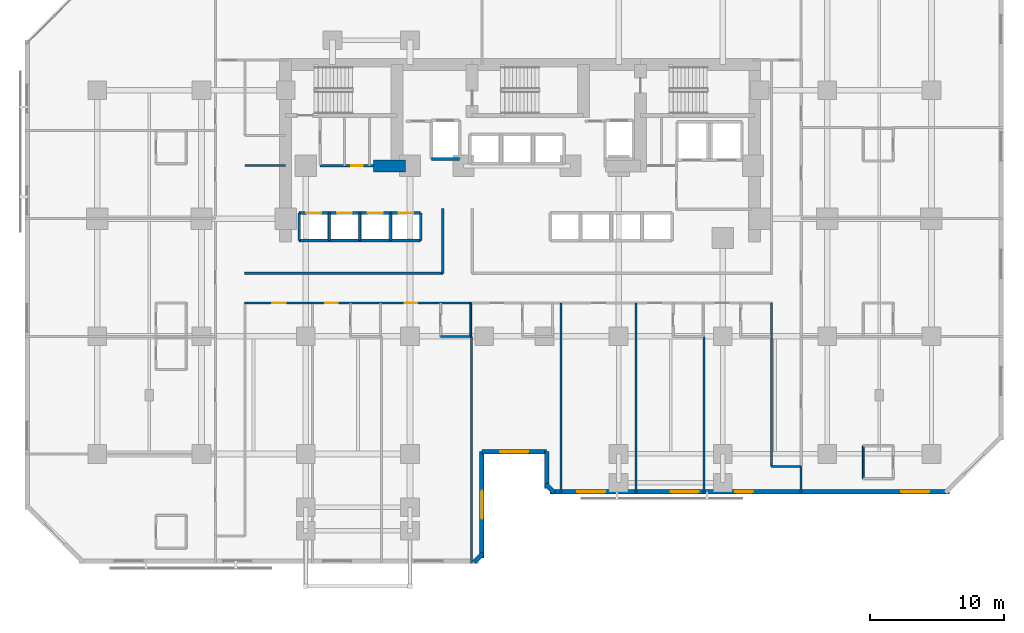
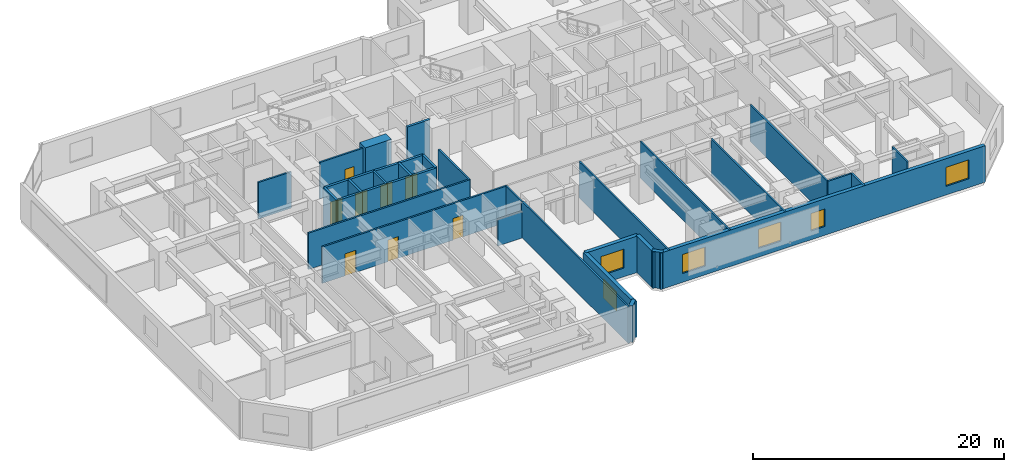
# One storey, part 6 of 12: 36 walls, 8 doors, 6 windows, 14 openings.
"""IFC4 building model written with IfcOpenShell, lengths in metres."""

from ifc_helpers import new_model, si_unit, direction, frame, frame_2d, origin, place, context, subcontext, project, spatial, rectangle, extrude, material, layer, layer_set, type_object, element, fill, save


model = new_model("IFC4")

# Units and contexts
model_context = context("Model", 3, precision=1e-05, world=origin(), true_north=direction((0.0, 1.0)))
body_context = subcontext(model_context, "Body", "Model", "MODEL_VIEW")
ifc_project = project(units=[si_unit("LENGTHUNIT", "METRE"), si_unit("AREAUNIT", "SQUARE_METRE"), si_unit("VOLUMEUNIT", "CUBIC_METRE"), si_unit("PLANEANGLEUNIT", "RADIAN"), si_unit("MASSUNIT", "GRAM", prefix="KILO")], contexts=[model_context])

# Site, building, storey
site_placement = place(None, origin())
site = spatial("IfcSite", under=ifc_project, at=site_placement, CompositionType="ELEMENT")
building_placement = place(site_placement, origin())
building = spatial("IfcBuilding", under=site, at=building_placement, Name="Kestravale Grand Hotel", CompositionType="ELEMENT")
storey_placement = place(building_placement, frame((0.0, 0.0, 26.0)))
storey = spatial("IfcBuildingStorey", under=building, at=storey_placement, Name="L05", CompositionType="ELEMENT", Elevation=26.0)

# Walls
ifc_material_1 = material(Name="Concrete f'c 70 MPa", Category="concrete")
ifc_layer_1 = layer(ifc_material_1, 0.89990234375)
ifc_layer_set_1 = layer_set([ifc_layer_1], Name="EW-CORE-900")
wall_type_1 = type_object("IfcWallType", Name="EW-CORE-900", PredefinedType="SHEAR", material=ifc_layer_set_1)
wall_1_placement = place(storey_placement, frame((28.449951171875, 32.75, 0.0), z_axis=(0.0, 0.0, 1.0), x_axis=(1.0, 0.0, 0.0)))
element("IfcWall", 1, at=wall_1_placement, inside=storey, type_object=wall_type_1, Name="L05 core shear wall S1", PredefinedType="SHEAR", context=body_context, shape_type="SweptSolid", body=[
    extrude(rectangle(XDim=2.400146484375, YDim=0.89990234375, at=frame_2d((1.2001953125, 0.0))), origin(), (0.0, 0.0, 1.0), 3.800048828125),
])
ifc_material_2 = material(Name="Precast concrete f'c 45 MPa", Category="concrete")
ifc_layer_2 = layer(ifc_material_2, 0.340087890625)
ifc_layer_set_2 = layer_set([ifc_layer_2], Name="EW-PREC-340")
wall_type_2 = type_object("IfcWallType", Name="EW-PREC-340", PredefinedType="SOLIDWALL", material=ifc_layer_set_2)
wall_2_placement = place(storey_placement, frame((36.00146484375, 3.091796875, 0.0), z_axis=(0.0, 0.0, 1.0), x_axis=(0.707106781187, 0.707106781187, 0.0)))
element("IfcWall", 2, at=wall_2_placement, inside=storey, type_object=wall_type_2, Name="L05 fluted precast facade wall 2", PredefinedType="SOLIDWALL", context=body_context, shape_type="SweptSolid", body=[
    extrude(rectangle(XDim=0.9287109375, YDim=0.340087890625, at=frame_2d((0.46435546875, 0.0))), origin(), (0.0, 0.0, 1.0), 3.5400390625),
])

# Wall, opening, window
wall_3_placement = place(storey_placement, frame((36.580078125, 3.429931640625, 0.0), z_axis=(0.0, 0.0, 1.0), x_axis=(0.0, 1.0, 0.0)))
wall_3 = element("IfcWall", 3, at=wall_3_placement, inside=storey, type_object=wall_type_2, Name="L05 fluted precast facade wall 3", PredefinedType="SOLIDWALL", context=body_context, shape_type="SweptSolid", body=[
    extrude(rectangle(XDim=7.940185546875, YDim=0.340087890625, at=frame_2d((3.97021484375, 0.0))), origin(), (0.0, 0.0, 1.0), 3.5400390625),
])
opening_1_placement = place(wall_3_placement, frame((2.919921875, 0.0, 0.85009765625)))
opening_1 = element("IfcOpeningElement", 4, at=opening_1_placement, cuts=wall_3, Name="Opening W-GUEST-2100", PredefinedType="OPENING", context=body_context, shape_type="SweptSolid", body=[
    extrude(rectangle(XDim=2.10009765625, YDim=1.85009765625, at=frame_2d((1.050048828125, 0.925048828125))), frame((0.0, 0.179931640625, 0.0), z_axis=(0.0, -1.0, 0.0), x_axis=(1.0, 0.0, 0.0)), (0.0, 0.0, 1.0), 0.360107421875),
])
ifc_material_3 = material(Name="Insulated low-E double glazing in aluminium frame", Category="aluminium")
window_type_1 = type_object("IfcWindowType", Name="W-GUEST-2100", PartitioningType="DOUBLE_PANEL_VERTICAL", PredefinedType="WINDOW", material=ifc_material_3)
window_1_placement = place(opening_1_placement, origin())
window_1 = element("IfcWindow", 5, at=window_1_placement, inside=storey, type_object=window_type_1, Name="L05 exterior window 3.1", OverallHeight=1.85009765625, OverallWidth=2.10009765625, PartitioningType="SINGLE_PANEL", PredefinedType="WINDOW", context=body_context, shape_type="SweptSolid", body=[
    extrude(rectangle(XDim=2.10009765625, YDim=1.85009765625, at=frame_2d((1.050048828125, 0.925048828125))), frame((0.0, 0.030029296875, 0.0), z_axis=(0.0, -1.0, 0.0), x_axis=(1.0, 0.0, 0.0)), (0.0, 0.0, 1.0), 0.06005859375),
])
fill(opening_1, window_1)

wall_4_placement = place(storey_placement, frame((36.580078125, 11.3701171875, 0.0), z_axis=(0.0, 0.0, 1.0), x_axis=(1.0, 0.0, 0.0)))
wall_4 = element("IfcWall", 6, at=wall_4_placement, inside=storey, type_object=wall_type_2, Name="L05 fluted precast facade wall 4", PredefinedType="SOLIDWALL", context=body_context, shape_type="SweptSolid", body=[
    extrude(rectangle(XDim=4.83984375, YDim=0.340087890625, at=frame_2d((2.419921875, 0.0))), origin(), (0.0, 0.0, 1.0), 3.5400390625),
])
opening_2_placement = place(wall_4_placement, frame((1.3701171875, 0.0, 0.85009765625)))
opening_2 = element("IfcOpeningElement", 7, at=opening_2_placement, cuts=wall_4, Name="Opening W-GUEST-2100", PredefinedType="OPENING", context=body_context, shape_type="SweptSolid", body=[
    extrude(rectangle(XDim=2.10009765625, YDim=1.85009765625, at=frame_2d((1.050048828125, 0.925048828125))), frame((0.0, 0.179931640625, 0.0), z_axis=(0.0, -1.0, 0.0), x_axis=(1.0, 0.0, 0.0)), (0.0, 0.0, 1.0), 0.360107421875),
])
window_2_placement = place(opening_2_placement, origin())
window_2 = element("IfcWindow", 8, at=window_2_placement, inside=storey, type_object=window_type_1, Name="L05 exterior window 4.1", OverallHeight=1.85009765625, OverallWidth=2.10009765625, PartitioningType="SINGLE_PANEL", PredefinedType="WINDOW", context=body_context, shape_type="SweptSolid", body=[
    extrude(rectangle(XDim=2.10009765625, YDim=1.85009765625, at=frame_2d((1.050048828125, 0.925048828125))), frame((0.0, 0.030029296875, 0.0), z_axis=(0.0, -1.0, 0.0), x_axis=(1.0, 0.0, 0.0)), (0.0, 0.0, 1.0), 0.06005859375),
])
fill(opening_2, window_2)

# Walls
wall_5_placement = place(storey_placement, frame((41.419921875, 11.3701171875, 0.0), z_axis=(0.0, 0.0, 1.0), x_axis=(0.0, -1.0, 0.0)))
element("IfcWall", 9, at=wall_5_placement, inside=storey, type_object=wall_type_2, Name="L05 fluted precast facade wall 5", PredefinedType="SOLIDWALL", context=body_context, shape_type="SweptSolid", body=[
    extrude(rectangle(XDim=2.740234375, YDim=0.340087890625, at=frame_2d((1.3701171875, 0.0))), origin(), (0.0, 0.0, 1.0), 3.5400390625),
])
wall_6_placement = place(storey_placement, frame((41.341796875, 8.948486328125, 0.0), z_axis=(0.0, 0.0, 1.0), x_axis=(0.707238225886, -0.706975312048, 0.0)))
element("IfcWall", 10, at=wall_6_placement, inside=storey, type_object=wall_type_2, Name="L05 fluted precast facade wall 6", PredefinedType="SOLIDWALL", context=body_context, shape_type="SweptSolid", body=[
    extrude(rectangle(XDim=0.9287109375, YDim=0.340087890625, at=frame_2d((0.46435546875, 0.0))), origin(), (0.0, 0.0, 1.0), 3.5400390625),
])

# Wall, openings, windows
wall_7_placement = place(storey_placement, frame((41.679931640625, 8.3701171875, 0.0), z_axis=(0.0, 0.0, 1.0), x_axis=(1.0, 0.0, 0.0)))
wall_7 = element("IfcWall", 11, at=wall_7_placement, inside=storey, type_object=wall_type_2, Name="L05 fluted precast facade wall 7", PredefinedType="SOLIDWALL", context=body_context, shape_type="SweptSolid", body=[
    extrude(rectangle(XDim=29.89013671875, YDim=0.340087890625, at=frame_2d((14.945068359375, 0.0))), origin(), (0.0, 0.0, 1.0), 3.5400390625),
])
opening_3_placement = place(wall_7_placement, frame((2.0361328125, 0.0, 0.85009765625)))
opening_3 = element("IfcOpeningElement", 12, at=opening_3_placement, cuts=wall_7, Name="Opening W-GUEST-2100", PredefinedType="OPENING", context=body_context, shape_type="SweptSolid", body=[
    extrude(rectangle(XDim=2.10009765625, YDim=1.85009765625, at=frame_2d((1.050048828125, 0.925048828125))), frame((0.0, 0.179931640625, 0.0), z_axis=(0.0, -1.0, 0.0), x_axis=(1.0, 0.0, 0.0)), (0.0, 0.0, 1.0), 0.360107421875),
])
opening_4_placement = place(wall_7_placement, frame((9.0087890625, 0.0, 0.85009765625)))
opening_4 = element("IfcOpeningElement", 13, at=opening_4_placement, cuts=wall_7, Name="Opening W-GUEST-2100", PredefinedType="OPENING", context=body_context, shape_type="SweptSolid", body=[
    extrude(rectangle(XDim=2.10009765625, YDim=1.85009765625, at=frame_2d((1.050048828125, 0.925048828125))), frame((0.0, 0.179931640625, 0.0), z_axis=(0.0, -1.0, 0.0), x_axis=(1.0, 0.0, 0.0)), (0.0, 0.0, 1.0), 0.360107421875),
])
opening_5_placement = place(wall_7_placement, frame((26.253662109375, 0.0, 0.85009765625)))
opening_5 = element("IfcOpeningElement", 14, at=opening_5_placement, cuts=wall_7, Name="Opening W-GUEST-2100", PredefinedType="OPENING", context=body_context, shape_type="SweptSolid", body=[
    extrude(rectangle(XDim=2.10009765625, YDim=1.85009765625, at=frame_2d((1.050048828125, 0.925048828125))), frame((0.0, 0.179931640625, 0.0), z_axis=(0.0, -1.0, 0.0), x_axis=(1.0, 0.0, 0.0)), (0.0, 0.0, 1.0), 0.360107421875),
])
opening_6_placement = place(wall_7_placement, frame((13.844970703125, 0.0, 0.85009765625)))
opening_6 = element("IfcOpeningElement", 15, at=opening_6_placement, cuts=wall_7, Name="Opening W-GUEST-1300", PredefinedType="OPENING", context=body_context, shape_type="SweptSolid", body=[
    extrude(rectangle(XDim=1.300048828125, YDim=1.699951171875, at=frame_2d((0.64990234375, 0.85009765625))), frame((0.0, 0.179931640625, 0.0), z_axis=(0.0, -1.0, 0.0), x_axis=(1.0, 0.0, 0.0)), (0.0, 0.0, 1.0), 0.360107421875),
])
ifc_material_4 = material(Name="Insulated low-E double glazing in aluminium frame", Category="aluminium")
window_type_2 = type_object("IfcWindowType", Name="W-GUEST-1300", PartitioningType="SINGLE_PANEL", PredefinedType="WINDOW", material=ifc_material_4)
window_3_placement = place(opening_6_placement, origin())
window_3 = element("IfcWindow", 16, at=window_3_placement, inside=storey, type_object=window_type_2, Name="L05 guestroom envelope window 1", OverallHeight=1.699951171875, OverallWidth=1.300048828125, PartitioningType="SINGLE_PANEL", PredefinedType="WINDOW", context=body_context, shape_type="SweptSolid", body=[
    extrude(rectangle(XDim=1.300048828125, YDim=1.699951171875, at=frame_2d((0.64990234375, 0.85009765625))), frame((0.0, 0.030029296875, 0.0), z_axis=(0.0, -1.0, 0.0), x_axis=(1.0, 0.0, 0.0)), (0.0, 0.0, 1.0), 0.06005859375),
])
fill(opening_6, window_3)
window_4_placement = place(opening_3_placement, origin())
window_4 = element("IfcWindow", 17, at=window_4_placement, inside=storey, type_object=window_type_1, Name="L05 exterior window 7.1", OverallHeight=1.85009765625, OverallWidth=2.10009765625, PartitioningType="SINGLE_PANEL", PredefinedType="WINDOW", context=body_context, shape_type="SweptSolid", body=[
    extrude(rectangle(XDim=2.10009765625, YDim=1.85009765625, at=frame_2d((1.050048828125, 0.925048828125))), frame((0.0, 0.030029296875, 0.0), z_axis=(0.0, -1.0, 0.0), x_axis=(1.0, 0.0, 0.0)), (0.0, 0.0, 1.0), 0.06005859375),
])
fill(opening_3, window_4)
window_5_placement = place(opening_4_placement, origin())
window_5 = element("IfcWindow", 18, at=window_5_placement, inside=storey, type_object=window_type_1, Name="L05 exterior window 7.2", OverallHeight=1.85009765625, OverallWidth=2.10009765625, PartitioningType="SINGLE_PANEL", PredefinedType="WINDOW", context=body_context, shape_type="SweptSolid", body=[
    extrude(rectangle(XDim=2.10009765625, YDim=1.85009765625, at=frame_2d((1.050048828125, 0.925048828125))), frame((0.0, 0.030029296875, 0.0), z_axis=(0.0, -1.0, 0.0), x_axis=(1.0, 0.0, 0.0)), (0.0, 0.0, 1.0), 0.06005859375),
])
fill(opening_4, window_5)
window_6_placement = place(opening_5_placement, origin())
window_6 = element("IfcWindow", 19, at=window_6_placement, inside=storey, type_object=window_type_1, Name="L05 exterior window 7.3", OverallHeight=1.85009765625, OverallWidth=2.10009765625, PartitioningType="SINGLE_PANEL", PredefinedType="WINDOW", context=body_context, shape_type="SweptSolid", body=[
    extrude(rectangle(XDim=2.10009765625, YDim=1.85009765625, at=frame_2d((1.050048828125, 0.925048828125))), frame((0.0, 0.030029296875, 0.0), z_axis=(0.0, -1.0, 0.0), x_axis=(1.0, 0.0, 0.0)), (0.0, 0.0, 1.0), 0.06005859375),
])
fill(opening_5, window_6)

# Wall, opening, door
ifc_material_5 = material(Name="Acoustic fire-rated gypsum board partition", Category="other")
ifc_layer_3 = layer(ifc_material_5, 0.159912109375)
ifc_layer_set_3 = layer_set([ifc_layer_3], Name="IW-CORR-160")
wall_type_3 = type_object("IfcWallType", Name="IW-CORR-160", PredefinedType="PARTITIONING", material=ifc_layer_set_3)
wall_8_placement = place(storey_placement, frame((24.47998046875, 32.75, 0.0), z_axis=(0.0, 0.0, 1.0), x_axis=(1.0, 0.0, 0.0)))
wall_8 = element("IfcWall", 20, at=wall_8_placement, inside=storey, type_object=wall_type_3, Name="W-L05-CWS", PredefinedType="PARTITIONING", context=body_context, shape_type="SweptSolid", body=[
    extrude(rectangle(XDim=3.969970703125, YDim=0.159912109375, at=frame_2d((1.98486328125, 0.0))), origin(), (0.0, 0.0, 1.0), 3.5400390625),
])
opening_7_placement = place(wall_8_placement, frame((2.31005859375, 0.0, 0.0)))
opening_7 = element("IfcOpeningElement", 21, at=opening_7_placement, cuts=wall_8, Name="Opening D-SH-860", PredefinedType="OPENING", context=body_context, shape_type="SweptSolid", body=[
    extrude(rectangle(XDim=0.860107421875, YDim=2.050048828125, at=frame_2d((0.43017578125, 1.02490234375))), frame((0.0, 0.08984375, 0.0), z_axis=(0.0, -1.0, 0.0), x_axis=(1.0, 0.0, 0.0)), (0.0, 0.0, 1.0), 0.179931640625),
])
ifc_material_6 = material(Name="Galvanised 90-minute riser fire door", Category="steel")
door_type_1 = type_object("IfcDoorType", Name="D-SH-860", OperationType="NOTDEFINED", PredefinedType="DOOR", material=ifc_material_6)
door_1_placement = place(opening_7_placement, origin())
door_1 = element("IfcDoor", 22, at=door_1_placement, inside=storey, type_object=door_type_1, Name="D-L05-IDF", OperationType="SINGLE_SWING_RIGHT", OverallHeight=2.050048828125, OverallWidth=0.860107421875, PredefinedType="DOOR", context=body_context, shape_type="SweptSolid", body=[
    extrude(rectangle(XDim=0.860107421875, YDim=2.050048828125, at=frame_2d((0.43017578125, 1.02490234375))), frame((0.0, 0.02490234375, 0.0), z_axis=(0.0, -1.0, 0.0), x_axis=(1.0, 0.0, 0.0)), (0.0, 0.0, 1.0), 0.050048828125),
])
fill(opening_7, door_1)

# Walls
wall_9_placement = place(storey_placement, frame((18.800048828125, 24.7099609375, 0.0), z_axis=(0.0, 0.0, 1.0), x_axis=(1.0, 0.0, 0.0)))
element("IfcWall", 23, at=wall_9_placement, inside=storey, type_object=wall_type_3, Name="W-L05-CW-N", PredefinedType="PARTITIONING", context=body_context, shape_type="SweptSolid", body=[
    extrude(rectangle(XDim=14.849853515625, YDim=0.159912109375, at=frame_2d((7.4248046875, 0.0))), origin(), (0.0, 0.0, 1.0), 3.5400390625),
])
wall_10_placement = place(storey_placement, frame((33.64990234375, 24.7099609375, 0.0), z_axis=(0.0, 0.0, 1.0), x_axis=(0.0, 1.0, 0.0)))
element("IfcWall", 24, at=wall_10_placement, inside=storey, type_object=wall_type_3, Name="W-L05-TRUNK-W", PredefinedType="PARTITIONING", context=body_context, shape_type="SweptSolid", body=[
    extrude(rectangle(XDim=4.840087890625, YDim=0.159912109375, at=frame_2d((2.419921875, 0.0))), origin(), (0.0, 0.0, 1.0), 3.5400390625),
])

# Wall, openings, doors
wall_11_placement = place(storey_placement, frame((18.800048828125, 22.489990234375, 0.0), z_axis=(0.0, 0.0, 1.0), x_axis=(1.0, 0.0, 0.0)))
wall_11 = element("IfcWall", 25, at=wall_11_placement, inside=storey, type_object=wall_type_3, Name="W-L05-CW-S", PredefinedType="PARTITIONING", context=body_context, shape_type="SweptSolid", body=[
    extrude(rectangle(XDim=17.0, YDim=0.159912109375, at=frame_2d((8.5, 0.0))), origin(), (0.0, 0.0, 1.0), 3.5400390625),
])
opening_8_placement = place(wall_11_placement, frame((2.0849609375, 0.0, 0.0)))
opening_8 = element("IfcOpeningElement", 26, at=opening_8_placement, cuts=wall_11, Name="Opening D-GUEST-1000", PredefinedType="OPENING", context=body_context, shape_type="SweptSolid", body=[
    extrude(rectangle(XDim=1.0, YDim=2.14990234375, at=frame_2d((0.5, 1.074951171875))), frame((0.0, 0.08984375, 0.0), z_axis=(0.0, -1.0, 0.0), x_axis=(1.0, 0.0, 0.0)), (0.0, 0.0, 1.0), 0.179931640625),
])
opening_9_placement = place(wall_11_placement, frame((6.0517578125, 0.0, 0.0)))
opening_9 = element("IfcOpeningElement", 27, at=opening_9_placement, cuts=wall_11, Name="Opening D-GUEST-950", PredefinedType="OPENING", context=body_context, shape_type="SweptSolid", body=[
    extrude(rectangle(XDim=0.949951171875, YDim=2.10009765625, at=frame_2d((0.47509765625, 1.050048828125))), frame((0.0, 0.08984375, 0.0), z_axis=(0.0, -1.0, 0.0), x_axis=(1.0, 0.0, 0.0)), (0.0, 0.0, 1.0), 0.179931640625),
])
opening_10_placement = place(wall_11_placement, frame((11.99658203125, 0.0, 0.0)))
opening_10 = element("IfcOpeningElement", 28, at=opening_10_placement, cuts=wall_11, Name="Opening D-GUEST-950", PredefinedType="OPENING", context=body_context, shape_type="SweptSolid", body=[
    extrude(rectangle(XDim=0.949951171875, YDim=2.10009765625, at=frame_2d((0.47509765625, 1.050048828125))), frame((0.0, 0.08984375, 0.0), z_axis=(0.0, -1.0, 0.0), x_axis=(1.0, 0.0, 0.0)), (0.0, 0.0, 1.0), 0.179931640625),
])
ifc_material_7 = material(Name="Accessible walnut veneer hotel entrance fire door", Category="wood")
door_type_2 = type_object("IfcDoorType", Name="D-GUEST-1000", OperationType="NOTDEFINED", PredefinedType="DOOR", material=ifc_material_7)
door_2_placement = place(opening_8_placement, origin())
door_2 = element("IfcDoor", 29, at=door_2_placement, inside=storey, type_object=door_type_2, Name="D-L05-AMW", OperationType="SINGLE_SWING_LEFT", OverallHeight=2.14990234375, OverallWidth=1.0, PredefinedType="DOOR", context=body_context, shape_type="SweptSolid", body=[
    extrude(rectangle(XDim=1.0, YDim=2.14990234375, at=frame_2d((0.5, 1.074951171875))), frame((0.0, 0.02490234375, 0.0), z_axis=(0.0, -1.0, 0.0), x_axis=(1.0, 0.0, 0.0)), (0.0, 0.0, 1.0), 0.050048828125),
])
fill(opening_8, door_2)
ifc_material_8 = material(Name="Walnut veneer hotel guestroom entrance fire door", Category="wood")
door_type_3 = type_object("IfcDoorType", Name="D-GUEST-950", OperationType="NOTDEFINED", PredefinedType="DOOR", material=ifc_material_8)
door_3_placement = place(opening_9_placement, origin())
door_3 = element("IfcDoor", 30, at=door_3_placement, inside=storey, type_object=door_type_3, Name="D-L05-U01-ENT", OperationType="SINGLE_SWING_LEFT", OverallHeight=2.10009765625, OverallWidth=0.949951171875, PredefinedType="DOOR", context=body_context, shape_type="SweptSolid", body=[
    extrude(rectangle(XDim=0.949951171875, YDim=2.10009765625, at=frame_2d((0.47509765625, 1.050048828125))), frame((0.0, 0.02490234375, 0.0), z_axis=(0.0, -1.0, 0.0), x_axis=(1.0, 0.0, 0.0)), (0.0, 0.0, 1.0), 0.050048828125),
])
fill(opening_9, door_3)
door_4_placement = place(opening_10_placement, origin())
door_4 = element("IfcDoor", 31, at=door_4_placement, inside=storey, type_object=door_type_3, Name="D-L05-U02-ENT", OperationType="SINGLE_SWING_LEFT", OverallHeight=2.10009765625, OverallWidth=0.949951171875, PredefinedType="DOOR", context=body_context, shape_type="SweptSolid", body=[
    extrude(rectangle(XDim=0.949951171875, YDim=2.10009765625, at=frame_2d((0.47509765625, 1.050048828125))), frame((0.0, 0.02490234375, 0.0), z_axis=(0.0, -1.0, 0.0), x_axis=(1.0, 0.0, 0.0)), (0.0, 0.0, 1.0), 0.050048828125),
])
fill(opening_10, door_4)

# Walls
wall_12_placement = place(storey_placement, frame((18.860107421875, 32.780029296875, 0.0), z_axis=(0.0, 0.0, 1.0), x_axis=(1.0, 0.0, 0.0)))
element("IfcWall", 32, at=wall_12_placement, inside=storey, type_object=wall_type_3, Name="W-L05-SW-CS", PredefinedType="PARTITIONING", context=body_context, shape_type="SweptSolid", body=[
    extrude(rectangle(XDim=3.039794921875, YDim=0.159912109375, at=frame_2d((1.52001953125, 0.0))), origin(), (0.0, 0.0, 1.0), 3.5400390625),
])
wall_13_placement = place(storey_placement, frame((58.239990234375, 10.25, 0.0), z_axis=(0.0, 0.0, 1.0), x_axis=(0.0, 1.0, 0.0)))
element("IfcWall", 33, at=wall_13_placement, inside=storey, type_object=wall_type_3, Name="W-L05-SE-W", PredefinedType="PARTITIONING", context=body_context, shape_type="SweptSolid", body=[
    extrude(rectangle(XDim=12.239990234375, YDim=0.159912109375, at=frame_2d((6.1201171875, 0.0))), origin(), (0.0, 0.0, 1.0), 3.5400390625),
])
ifc_material_9 = material(Name="Moisture-resistant tile-backer plumbing chase wall", Category="other")
ifc_layer_4 = layer(ifc_material_9, 0.139892578125)
ifc_layer_set_4 = layer_set([ifc_layer_4], Name="IW-PLB-140")
wall_type_4 = type_object("IfcWallType", Name="IW-PLB-140", PredefinedType="PLUMBINGWALL", material=ifc_layer_set_4)
wall_14_placement = place(storey_placement, frame((35.739990234375, 19.97998046875, 0.0), z_axis=(0.0, 0.0, 1.0), x_axis=(0.0, 1.0, 0.0)))
element("IfcWall", 34, at=wall_14_placement, inside=storey, type_object=wall_type_4, Name="W-L05-U02-BE", PredefinedType="PLUMBINGWALL", context=body_context, shape_type="SweptSolid", body=[
    extrude(rectangle(XDim=2.489990234375, YDim=0.139892578125, at=frame_2d((1.2451171875, 0.0))), origin(), (0.0, 0.0, 1.0), 3.5400390625),
])
wall_15_placement = place(storey_placement, frame((33.489990234375, 19.97998046875, 0.0), z_axis=(0.0, 0.0, 1.0), x_axis=(1.0, 0.0, 0.0)))
element("IfcWall", 35, at=wall_15_placement, inside=storey, type_object=wall_type_4, Name="W-L05-U02-BS", PredefinedType="PLUMBINGWALL", context=body_context, shape_type="SweptSolid", body=[
    extrude(rectangle(XDim=2.25, YDim=0.139892578125, at=frame_2d((1.125, 0.0))), origin(), (0.0, 0.0, 1.0), 2.593017578125),
])
wall_16_placement = place(storey_placement, frame((65.10009765625, 9.35009765625, 0.0), z_axis=(0.0, 0.0, 1.0), x_axis=(0.0, 1.0, 0.0)))
element("IfcWall", 36, at=wall_16_placement, inside=storey, type_object=wall_type_4, Name="W-L05-U10-BW", PredefinedType="PLUMBINGWALL", context=body_context, shape_type="SweptSolid", body=[
    extrude(rectangle(XDim=2.449951171875, YDim=0.139892578125, at=frame_2d((1.22509765625, 0.0))), origin(), (0.0, 0.0, 1.0), 3.5400390625),
])
ifc_material_10 = material(Name="Concrete f'c 45 MPa", Category="concrete")
ifc_layer_5 = layer(ifc_material_10, 0.199951171875)
ifc_layer_set_5 = layer_set([ifc_layer_5], Name="IW-SHAFT-200")
wall_type_5 = type_object("IfcWallType", Name="IW-SHAFT-200", PredefinedType="SHEAR", material=ifc_layer_set_5)
for number, where, z_axis, x_axis, name in (
    (37, (22.905029296875, 27.169921875, 0.0), (0.0, 0.0, 1.0), (0.0, 1.0, 0.0), "L05 PL-L1 west shaft wall"),
    (38, (25.14990234375, 27.169921875, 0.0), (0.0, 0.0, 1.0), (0.0, 1.0, 0.0), "L05 PL-L2 west shaft wall"),
    (39, (27.449951171875, 27.169921875, 0.0), (0.0, 0.0, 1.0), (0.0, 1.0, 0.0), "L05 PL-L3 west shaft wall"),
    (40, (29.75, 27.169921875, 0.0), (0.0, 0.0, 1.0), (0.0, 1.0, 0.0), "L05 PL-L4 west shaft wall"),
    (41, (31.9951171875, 27.169921875, 0.0), (0.0, 0.0, 1.0), (0.0, 1.0, 0.0), "L05 PL-L4 east shaft wall"),
):
    element("IfcWall", number, at=place(storey_placement, frame(where, z_axis=z_axis, x_axis=x_axis)), inside=storey, type_object=wall_type_5, Name=name, PredefinedType="SHEAR", context=body_context, shape_type="SweptSolid", body=[
        extrude(rectangle(XDim=2.06005859375, YDim=0.199951171875, at=frame_2d((1.030029296875, 0.0))), origin(), (0.0, 0.0, 1.0), 3.800048828125),
    ])

# Wall, opening, door
ifc_material_11 = material(Name="Concrete f'c 45 MPa", Category="concrete")
ifc_layer_6 = layer(ifc_material_11, 0.219970703125)
ifc_layer_set_6 = layer_set([ifc_layer_6], Name="IW-SHAFT-220")
wall_type_6 = type_object("IfcWallType", Name="IW-SHAFT-220", PredefinedType="SHEAR", material=ifc_layer_set_6)
wall_17_placement = place(storey_placement, frame((22.905029296875, 29.22998046875, 0.0), z_axis=(0.0, 0.0, 1.0), x_axis=(1.0, 0.0, 0.0)))
wall_17 = element("IfcWall", 42, at=wall_17_placement, inside=storey, type_object=wall_type_6, Name="L05 PL-L1 north shaft wall", PredefinedType="SHEAR", context=body_context, shape_type="SweptSolid", body=[
    extrude(rectangle(XDim=2.244873046875, YDim=0.219970703125, at=frame_2d((1.12255859375, 0.0))), origin(), (0.0, 0.0, 1.0), 3.800048828125),
])
opening_11_placement = place(wall_17_placement, frame((0.544921875, 0.0, 0.0)))
opening_11 = element("IfcOpeningElement", 43, at=opening_11_placement, cuts=wall_17, Name="Opening LD-PAX-1100", PredefinedType="OPENING", context=body_context, shape_type="SweptSolid", body=[
    extrude(rectangle(XDim=1.10009765625, YDim=2.14990234375, at=frame_2d((0.550048828125, 1.074951171875))), frame((0.0, 0.119873046875, 0.0), z_axis=(0.0, -1.0, 0.0), x_axis=(1.0, 0.0, 0.0)), (0.0, 0.0, 1.0), 0.239990234375),
])
ifc_material_12 = material(Name="Champagne-bronze center-opening sliding elevator landing door", Category="steel")
door_type_4 = type_object("IfcDoorType", Name="LD-PAX-1100", OperationType="NOTDEFINED", PredefinedType="DOOR", material=ifc_material_12)
door_5_placement = place(opening_11_placement, origin())
door_5 = element("IfcDoor", 44, at=door_5_placement, inside=storey, type_object=door_type_4, Name="L05 PL-L1 elevator landing sliding door", OperationType="DOUBLE_DOOR_SLIDING", OverallHeight=2.14990234375, OverallWidth=1.10009765625, PredefinedType="DOOR", context=body_context, shape_type="SweptSolid", body=[
    extrude(rectangle(XDim=1.10009765625, YDim=2.14990234375, at=frame_2d((0.550048828125, 1.074951171875))), frame((0.0, 0.02490234375, 0.0), z_axis=(0.0, -1.0, 0.0), x_axis=(1.0, 0.0, 0.0)), (0.0, 0.0, 1.0), 0.050048828125),
])
fill(opening_11, door_5)

# Wall
wall_18_placement = place(storey_placement, frame((22.905029296875, 27.169921875, 0.0), z_axis=(0.0, 0.0, 1.0), x_axis=(1.0, 0.0, 0.0)))
element("IfcWall", 45, at=wall_18_placement, inside=storey, type_object=wall_type_6, Name="L05 PL-L1 south shaft wall", PredefinedType="SHEAR", context=body_context, shape_type="SweptSolid", body=[
    extrude(rectangle(XDim=2.244873046875, YDim=0.219970703125, at=frame_2d((1.12255859375, 0.0))), origin(), (0.0, 0.0, 1.0), 3.800048828125),
])

# Wall, opening, door
wall_19_placement = place(storey_placement, frame((25.14990234375, 29.22998046875, 0.0), z_axis=(0.0, 0.0, 1.0), x_axis=(1.0, 0.0, 0.0)))
wall_19 = element("IfcWall", 46, at=wall_19_placement, inside=storey, type_object=wall_type_6, Name="L05 PL-L2 north shaft wall", PredefinedType="SHEAR", context=body_context, shape_type="SweptSolid", body=[
    extrude(rectangle(XDim=2.300048828125, YDim=0.219970703125, at=frame_2d((1.14990234375, 0.0))), origin(), (0.0, 0.0, 1.0), 3.800048828125),
])
opening_12_placement = place(wall_19_placement, frame((0.60009765625, 0.0, 0.0)))
opening_12 = element("IfcOpeningElement", 47, at=opening_12_placement, cuts=wall_19, Name="Opening LD-PAX-1100", PredefinedType="OPENING", context=body_context, shape_type="SweptSolid", body=[
    extrude(rectangle(XDim=1.10009765625, YDim=2.14990234375, at=frame_2d((0.550048828125, 1.074951171875))), frame((0.0, 0.119873046875, 0.0), z_axis=(0.0, -1.0, 0.0), x_axis=(1.0, 0.0, 0.0)), (0.0, 0.0, 1.0), 0.239990234375),
])
door_6_placement = place(opening_12_placement, origin())
door_6 = element("IfcDoor", 48, at=door_6_placement, inside=storey, type_object=door_type_4, Name="L05 PL-L2 elevator landing sliding door", OperationType="DOUBLE_DOOR_SLIDING", OverallHeight=2.14990234375, OverallWidth=1.10009765625, PredefinedType="DOOR", context=body_context, shape_type="SweptSolid", body=[
    extrude(rectangle(XDim=1.10009765625, YDim=2.14990234375, at=frame_2d((0.550048828125, 1.074951171875))), frame((0.0, 0.02490234375, 0.0), z_axis=(0.0, -1.0, 0.0), x_axis=(1.0, 0.0, 0.0)), (0.0, 0.0, 1.0), 0.050048828125),
])
fill(opening_12, door_6)

# Wall
wall_20_placement = place(storey_placement, frame((25.14990234375, 27.169921875, 0.0), z_axis=(0.0, 0.0, 1.0), x_axis=(1.0, 0.0, 0.0)))
element("IfcWall", 49, at=wall_20_placement, inside=storey, type_object=wall_type_6, Name="L05 PL-L2 south shaft wall", PredefinedType="SHEAR", context=body_context, shape_type="SweptSolid", body=[
    extrude(rectangle(XDim=2.300048828125, YDim=0.219970703125, at=frame_2d((1.14990234375, 0.0))), origin(), (0.0, 0.0, 1.0), 3.800048828125),
])

# Wall, opening, door
wall_21_placement = place(storey_placement, frame((27.449951171875, 29.22998046875, 0.0), z_axis=(0.0, 0.0, 1.0), x_axis=(1.0, 0.0, 0.0)))
wall_21 = element("IfcWall", 50, at=wall_21_placement, inside=storey, type_object=wall_type_6, Name="L05 PL-L3 north shaft wall", PredefinedType="SHEAR", context=body_context, shape_type="SweptSolid", body=[
    extrude(rectangle(XDim=2.300048828125, YDim=0.219970703125, at=frame_2d((1.14990234375, 0.0))), origin(), (0.0, 0.0, 1.0), 3.800048828125),
])
opening_13_placement = place(wall_21_placement, frame((0.60009765625, 0.0, 0.0)))
opening_13 = element("IfcOpeningElement", 51, at=opening_13_placement, cuts=wall_21, Name="Opening LD-PAX-1100", PredefinedType="OPENING", context=body_context, shape_type="SweptSolid", body=[
    extrude(rectangle(XDim=1.10009765625, YDim=2.14990234375, at=frame_2d((0.550048828125, 1.074951171875))), frame((0.0, 0.119873046875, 0.0), z_axis=(0.0, -1.0, 0.0), x_axis=(1.0, 0.0, 0.0)), (0.0, 0.0, 1.0), 0.239990234375),
])
door_7_placement = place(opening_13_placement, origin())
door_7 = element("IfcDoor", 52, at=door_7_placement, inside=storey, type_object=door_type_4, Name="L05 PL-L3 elevator landing sliding door", OperationType="DOUBLE_DOOR_SLIDING", OverallHeight=2.14990234375, OverallWidth=1.10009765625, PredefinedType="DOOR", context=body_context, shape_type="SweptSolid", body=[
    extrude(rectangle(XDim=1.10009765625, YDim=2.14990234375, at=frame_2d((0.550048828125, 1.074951171875))), frame((0.0, 0.02490234375, 0.0), z_axis=(0.0, -1.0, 0.0), x_axis=(1.0, 0.0, 0.0)), (0.0, 0.0, 1.0), 0.050048828125),
])
fill(opening_13, door_7)

# Wall
wall_22_placement = place(storey_placement, frame((27.449951171875, 27.169921875, 0.0), z_axis=(0.0, 0.0, 1.0), x_axis=(1.0, 0.0, 0.0)))
element("IfcWall", 53, at=wall_22_placement, inside=storey, type_object=wall_type_6, Name="L05 PL-L3 south shaft wall", PredefinedType="SHEAR", context=body_context, shape_type="SweptSolid", body=[
    extrude(rectangle(XDim=2.300048828125, YDim=0.219970703125, at=frame_2d((1.14990234375, 0.0))), origin(), (0.0, 0.0, 1.0), 3.800048828125),
])

# Wall, opening, door
wall_23_placement = place(storey_placement, frame((29.75, 29.22998046875, 0.0), z_axis=(0.0, 0.0, 1.0), x_axis=(1.0, 0.0, 0.0)))
wall_23 = element("IfcWall", 54, at=wall_23_placement, inside=storey, type_object=wall_type_6, Name="L05 PL-L4 north shaft wall", PredefinedType="SHEAR", context=body_context, shape_type="SweptSolid", body=[
    extrude(rectangle(XDim=2.2451171875, YDim=0.219970703125, at=frame_2d((1.12255859375, 0.0))), origin(), (0.0, 0.0, 1.0), 3.800048828125),
])
opening_14_placement = place(wall_23_placement, frame((0.60009765625, 0.0, 0.0)))
opening_14 = element("IfcOpeningElement", 55, at=opening_14_placement, cuts=wall_23, Name="Opening LD-PAX-1100", PredefinedType="OPENING", context=body_context, shape_type="SweptSolid", body=[
    extrude(rectangle(XDim=1.10009765625, YDim=2.14990234375, at=frame_2d((0.550048828125, 1.074951171875))), frame((0.0, 0.119873046875, 0.0), z_axis=(0.0, -1.0, 0.0), x_axis=(1.0, 0.0, 0.0)), (0.0, 0.0, 1.0), 0.239990234375),
])
door_8_placement = place(opening_14_placement, origin())
door_8 = element("IfcDoor", 56, at=door_8_placement, inside=storey, type_object=door_type_4, Name="L05 PL-L4 elevator landing sliding door", OperationType="DOUBLE_DOOR_SLIDING", OverallHeight=2.14990234375, OverallWidth=1.10009765625, PredefinedType="DOOR", context=body_context, shape_type="SweptSolid", body=[
    extrude(rectangle(XDim=1.10009765625, YDim=2.14990234375, at=frame_2d((0.550048828125, 1.074951171875))), frame((0.0, 0.02490234375, 0.0), z_axis=(0.0, -1.0, 0.0), x_axis=(1.0, 0.0, 0.0)), (0.0, 0.0, 1.0), 0.050048828125),
])
fill(opening_14, door_8)

# Walls
wall_24_placement = place(storey_placement, frame((29.75, 27.169921875, 0.0), z_axis=(0.0, 0.0, 1.0), x_axis=(1.0, 0.0, 0.0)))
element("IfcWall", 57, at=wall_24_placement, inside=storey, type_object=wall_type_6, Name="L05 PL-L4 south shaft wall", PredefinedType="SHEAR", context=body_context, shape_type="SweptSolid", body=[
    extrude(rectangle(XDim=2.2451171875, YDim=0.219970703125, at=frame_2d((1.12255859375, 0.0))), origin(), (0.0, 0.0, 1.0), 3.800048828125),
])
wall_25_placement = place(storey_placement, frame((32.804931640625, 33.2451171875, 0.0), z_axis=(0.0, 0.0, 1.0), x_axis=(1.0, 0.0, 0.0)))
element("IfcWall", 58, at=wall_25_placement, inside=storey, type_object=wall_type_6, Name="L05 FL-1 south shaft wall", PredefinedType="SHEAR", context=body_context, shape_type="SweptSolid", body=[
    extrude(rectangle(XDim=2.090087890625, YDim=0.219970703125, at=frame_2d((1.044921875, 0.0))), origin(), (0.0, 0.0, 1.0), 3.800048828125),
])
ifc_material_13 = material(Name="Double-stud STC 52 acoustic demising partition", Category="other")
ifc_layer_7 = layer(ifc_material_13, 0.14990234375)
ifc_layer_set_7 = layer_set([ifc_layer_7], Name="IW-UNIT-150")
wall_type_7 = type_object("IfcWallType", Name="IW-UNIT-150", PredefinedType="PARTITIONING", material=ifc_layer_set_7)
wall_26_placement = place(storey_placement, frame((58.239990234375, 10.25, 0.0), z_axis=(0.0, 0.0, 1.0), x_axis=(1.0, 0.0, 0.0)))
element("IfcWall", 59, at=wall_26_placement, inside=storey, type_object=wall_type_7, Name="W-L05-SE-S", PredefinedType="PARTITIONING", context=body_context, shape_type="SweptSolid", body=[
    extrude(rectangle(XDim=2.219970703125, YDim=0.14990234375, at=frame_2d((1.10986328125, 0.0))), origin(), (0.0, 0.0, 1.0), 3.5400390625),
])
wall_27_placement = place(storey_placement, frame((35.800048828125, 3.02001953125, 0.0), z_axis=(0.0, 0.0, 1.0), x_axis=(0.0, 1.0, 0.0)))
element("IfcWall", 60, at=wall_27_placement, inside=storey, type_object=wall_type_7, Name="W-L05-MID-S", PredefinedType="PARTITIONING", context=body_context, shape_type="SweptSolid", body=[
    extrude(rectangle(XDim=16.9599609375, YDim=0.14990234375, at=frame_2d((8.47998046875, 0.0))), origin(), (0.0, 0.0, 1.0), 3.5400390625),
])
for number, where, z_axis, x_axis, name in (
    (61, (42.510009765625, 8.219970703125, 0.0), (0.0, 0.0, 1.0), (0.0, 1.0, 0.0), "W-L05-ES-1"),
    (62, (48.1201171875, 8.219970703125, 0.0), (0.0, 0.0, 1.0), (0.0, 1.0, 0.0), "W-L05-ES-2"),
):
    element("IfcWall", number, at=place(storey_placement, frame(where, z_axis=z_axis, x_axis=x_axis)), inside=storey, type_object=wall_type_7, Name=name, PredefinedType="PARTITIONING", context=body_context, shape_type="SweptSolid", body=[
        extrude(rectangle(XDim=14.27001953125, YDim=0.14990234375, at=frame_2d((7.135009765625, 0.0))), origin(), (0.0, 0.0, 1.0), 3.5400390625),
    ])
wall_28_placement = place(storey_placement, frame((53.18994140625, 8.219970703125, 0.0), z_axis=(0.0, 0.0, 1.0), x_axis=(0.0, 1.0, 0.0)))
element("IfcWall", 63, at=wall_28_placement, inside=storey, type_object=wall_type_7, Name="W-L05-ES-3", PredefinedType="PARTITIONING", context=body_context, shape_type="SweptSolid", body=[
    extrude(rectangle(XDim=11.760009765625, YDim=0.14990234375, at=frame_2d((5.8798828125, 0.0))), origin(), (0.0, 0.0, 1.0), 3.5400390625),
])
wall_29_placement = place(storey_placement, frame((60.4599609375, 8.219970703125, 0.0), z_axis=(0.0, 0.0, 1.0), x_axis=(0.0, 1.0, 0.0)))
element("IfcWall", 64, at=wall_29_placement, inside=storey, type_object=wall_type_7, Name="W-L05-SE-EXT", PredefinedType="PARTITIONING", context=body_context, shape_type="SweptSolid", body=[
    extrude(rectangle(XDim=2.030029296875, YDim=0.14990234375, at=frame_2d((1.01513671875, 0.0))), origin(), (0.0, 0.0, 1.0), 3.5400390625),
])

save(model, "model.ifc")
